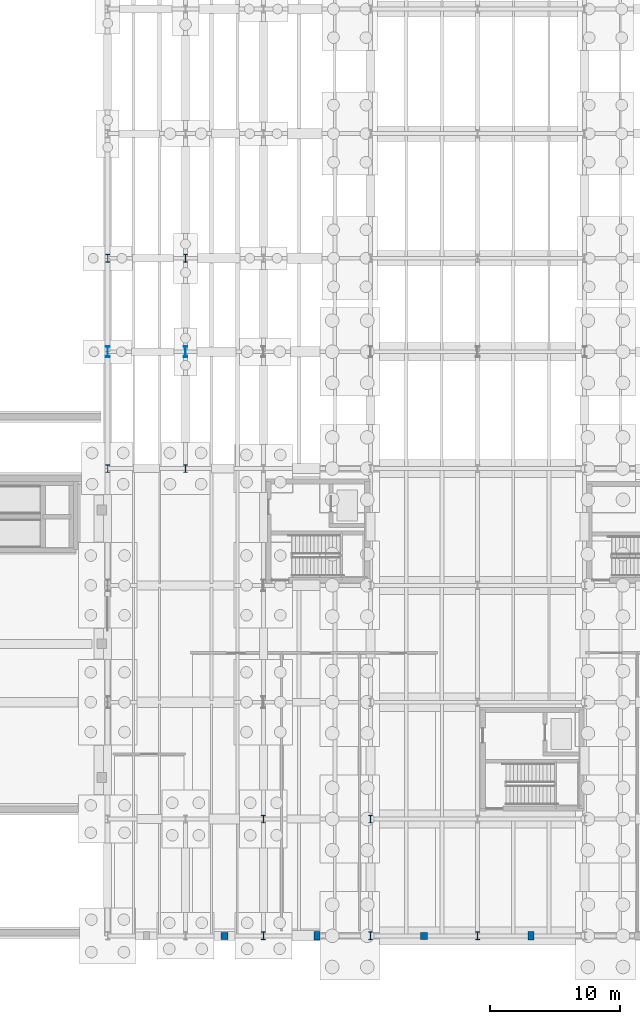
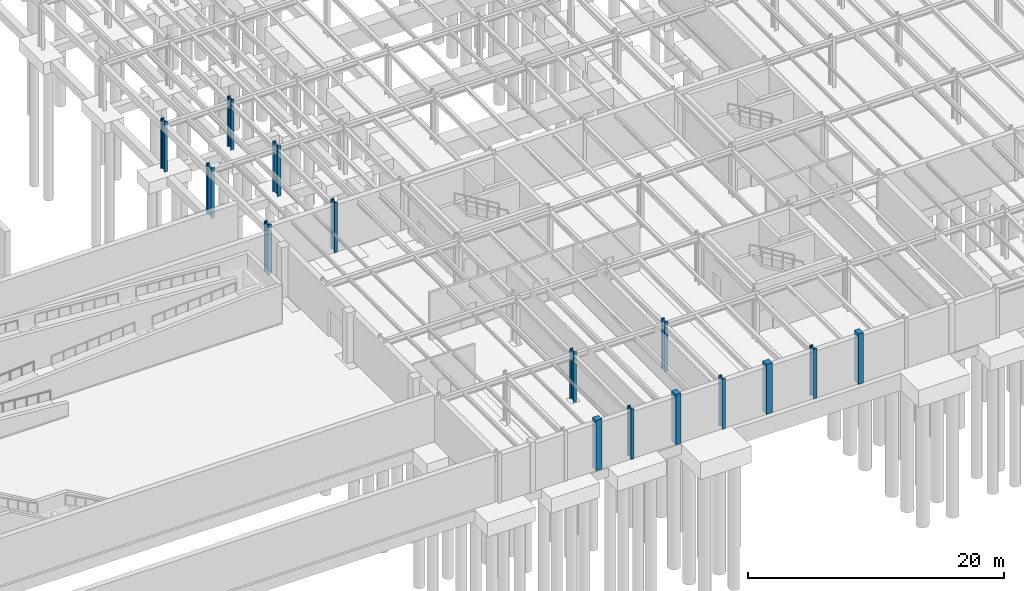
# One storey, part 16 of 59: 15 columns.
"""IFC4 building model written with IfcOpenShell, lengths in metres."""

from ifc_helpers import new_model, si_unit, direction, frame, origin, origin_2d, place, context, subcontext, project, spatial, rectangle, i_section, extrude, material, material_profile, profile_set, type_object, element, save


model = new_model("IFC4")

# Units and contexts
model_context = context("Model", 3, precision=1e-05, world=origin(), true_north=direction((0.0, 1.0)))
body_context = subcontext(model_context, "Body", "Model", "MODEL_VIEW")
ifc_project = project(units=[si_unit("LENGTHUNIT", "METRE"), si_unit("AREAUNIT", "SQUARE_METRE"), si_unit("VOLUMEUNIT", "CUBIC_METRE"), si_unit("PLANEANGLEUNIT", "RADIAN"), si_unit("MASSUNIT", "GRAM", prefix="KILO")], contexts=[model_context])

# Site, building, storey
site_placement = place(None, origin())
site = spatial("IfcSite", under=ifc_project, at=site_placement, CompositionType="ELEMENT")
building_placement = place(site_placement, origin())
building = spatial("IfcBuilding", under=site, at=building_placement, Name="Montealbar Specialist Clinic", CompositionType="ELEMENT")
storey_placement = place(building_placement, frame((0.0, 0.0, -4.800048828125)))
storey = spatial("IfcBuildingStorey", under=building, at=storey_placement, Name="B01", CompositionType="ELEMENT", Elevation=-4.800048828125)

# Columns
ifc_material_1 = material(Name="Steel S355", Category="steel")
ifc_material_profile_1 = material_profile(ifc_material_1, i_section(OverallWidth=0.302978515625, OverallDepth=0.81396484375, WebThickness=0.02099609375, FlangeThickness=0.0400390625, FilletRadius=0.030029296875, at=origin_2d()), Name="HEM 800", Category="steel")
ifc_profile_set_1 = profile_set([ifc_material_profile_1], Name="Steel S355")
column_type_1 = type_object("IfcColumnType", Name="COL-S-B01-HVY-EXT", PredefinedType="COLUMN", material=ifc_profile_set_1)
for number, where, z_axis, x_axis, name in (
    (1, (54.0, 45.0, 0.0), (0.0, 0.0, 1.0), (1.0, 0.0, 0.0), "Column 7/F B01"),
    (2, (60.0, 45.0, 0.0), (0.0, 0.0, 1.0), (1.0, 0.0, 0.0), "Column 8/F B01"),
):
    element("IfcColumn", number, at=place(storey_placement, frame(where, z_axis=z_axis, x_axis=x_axis)), inside=storey, type_object=column_type_1, Name=name, PredefinedType="COLUMN", context=body_context, shape_type="SweptSolid", body=[
        extrude(i_section(OverallWidth=0.302978515625, OverallDepth=0.81396484375, WebThickness=0.02099609375, FlangeThickness=0.0400390625, FilletRadius=0.030029296875, at=origin_2d()), origin(), (0.0, 0.0, 1.0), 4.800048828125),
    ])
ifc_material_profile_2 = material_profile(ifc_material_1, i_section(OverallWidth=0.300048828125, OverallDepth=0.60009765625, WebThickness=0.015380859375, FlangeThickness=0.030029296875, FilletRadius=0.027099609375, at=origin_2d()), Name="HEB 600", Category="steel")
ifc_profile_set_2 = profile_set([ifc_material_profile_2], Name="Steel S355")
column_type_2 = type_object("IfcColumnType", Name="COL-S-B01-STD", PredefinedType="COLUMN", material=ifc_profile_set_2)
for number, where, z_axis, x_axis, name in (
    (3, (66.0, 9.0, 0.0), (0.0, 0.0, 1.0), (1.0, 0.0, 0.0), "Column 9/B B01"),
    (4, (74.25, 9.0, 0.0), (0.0, 0.0, 1.0), (1.0, 0.0, 0.0), "Column 10/B B01"),
):
    element("IfcColumn", number, at=place(storey_placement, frame(where, z_axis=z_axis, x_axis=x_axis)), inside=storey, type_object=column_type_2, Name=name, PredefinedType="COLUMN", context=body_context, shape_type="SweptSolid", body=[
        extrude(i_section(OverallWidth=0.300048828125, OverallDepth=0.60009765625, WebThickness=0.015380859375, FlangeThickness=0.030029296875, FilletRadius=0.027099609375, at=origin_2d()), origin(), (0.0, 0.0, 1.0), 4.800048828125),
    ])
ifc_material_profile_3 = material_profile(ifc_material_1, i_section(OverallWidth=0.300048828125, OverallDepth=0.60009765625, WebThickness=0.015380859375, FlangeThickness=0.030029296875, FilletRadius=0.027099609375, at=origin_2d()), Name="HEB 600", Category="steel")
ifc_profile_set_3 = profile_set([ifc_material_profile_3], Name="Steel S355")
column_type_3 = type_object("IfcColumnType", Name="COL-S-B01-STD-EXT", PredefinedType="COLUMN", material=ifc_profile_set_3)
for number, where, z_axis, x_axis, name in (
    (5, (54.0, 36.0, 0.0), (0.0, 0.0, 1.0), (1.0, 0.0, 0.0), "Column 7/E B01"),
    (6, (54.0, 52.199951171875, 0.0), (0.0, 0.0, 1.0), (1.0, 0.0, 0.0), "Column 7/G B01"),
    (7, (60.0, 36.0, 0.0), (0.0, 0.0, 1.0), (1.0, 0.0, 0.0), "Column 8/E B01"),
    (8, (60.0, 52.199951171875, 0.0), (0.0, 0.0, 1.0), (1.0, 0.0, 0.0), "Column 8/G B01"),
    (9, (66.0, 0.0, 0.0), (0.0, 0.0, 1.0), (1.0, 0.0, 0.0), "Column 9/A B01"),
    (10, (74.25, 0.0, 0.0), (0.0, 0.0, 1.0), (1.0, 0.0, 0.0), "Column 10/A B01"),
    (11, (82.5, 0.0, 0.0), (0.0, 0.0, 1.0), (1.0, 0.0, 0.0), "Column 11/A B01"),
):
    element("IfcColumn", number, at=place(storey_placement, frame(where, z_axis=z_axis, x_axis=x_axis)), inside=storey, type_object=column_type_3, Name=name, PredefinedType="COLUMN", context=body_context, shape_type="SweptSolid", body=[
        extrude(i_section(OverallWidth=0.300048828125, OverallDepth=0.60009765625, WebThickness=0.015380859375, FlangeThickness=0.030029296875, FilletRadius=0.027099609375, at=origin_2d()), origin(), (0.0, 0.0, 1.0), 4.800048828125),
    ])
ifc_material_2 = material(Name="Guadarrama granite ashlar", Category="masonry")
ifc_material_profile_4 = material_profile(ifc_material_2, rectangle(XDim=0.449951171875, YDim=0.64990234375, at=origin_2d()), Name="GRANITE PILASTER 450x650", Category="masonry")
ifc_profile_set_4 = profile_set([ifc_material_profile_4], Name="Guadarrama granite ashlar")
column_type_4 = type_object("IfcColumnType", Name="PIL-GRANITE-A-INT", PredefinedType="PILASTER", material=ifc_profile_set_4)
for number, where, z_axis, x_axis, name in (
    (12, (70.125, 0.0, 0.0), (0.0, 0.0, 1.0), (1.0, 0.0, 0.0), "Column P3/A B01"),
    (13, (86.625, 0.0, 0.0), (0.0, 0.0, 1.0), (1.0, 0.0, 0.0), "Column P5/A B01"),
):
    element("IfcColumn", number, at=place(storey_placement, frame(where, z_axis=z_axis, x_axis=x_axis)), inside=storey, type_object=column_type_4, Name=name, PredefinedType="PILASTER", context=body_context, shape_type="SweptSolid", body=[
        extrude(rectangle(XDim=0.449951171875, YDim=0.64990234375, at=origin_2d()), origin(), (0.0, 0.0, 1.0), 4.800048828125),
    ])
ifc_material_profile_5 = material_profile(ifc_material_2, rectangle(XDim=0.550048828125, YDim=0.550048828125, at=origin_2d()), Name="GRANITE PILASTER 550x550", Category="masonry")
ifc_profile_set_5 = profile_set([ifc_material_profile_5], Name="Guadarrama granite ashlar")
column_type_5 = type_object("IfcColumnType", Name="PIL-GRANITE-B-INT", PredefinedType="PILASTER", material=ifc_profile_set_5)
for number, where, z_axis, x_axis, name in (
    (14, (63.0, 0.0, 0.0), (0.0, 0.0, 1.0), (1.0, 0.0, 0.0), "Column P2/A B01"),
    (15, (78.375, 0.0, 0.0), (0.0, 0.0, 1.0), (1.0, 0.0, 0.0), "Column P4/A B01"),
):
    element("IfcColumn", number, at=place(storey_placement, frame(where, z_axis=z_axis, x_axis=x_axis)), inside=storey, type_object=column_type_5, Name=name, PredefinedType="PILASTER", context=body_context, shape_type="SweptSolid", body=[
        extrude(rectangle(XDim=0.550048828125, YDim=0.550048828125, at=origin_2d()), origin(), (0.0, 0.0, 1.0), 4.800048828125),
    ])

save(model, "model.ifc")
